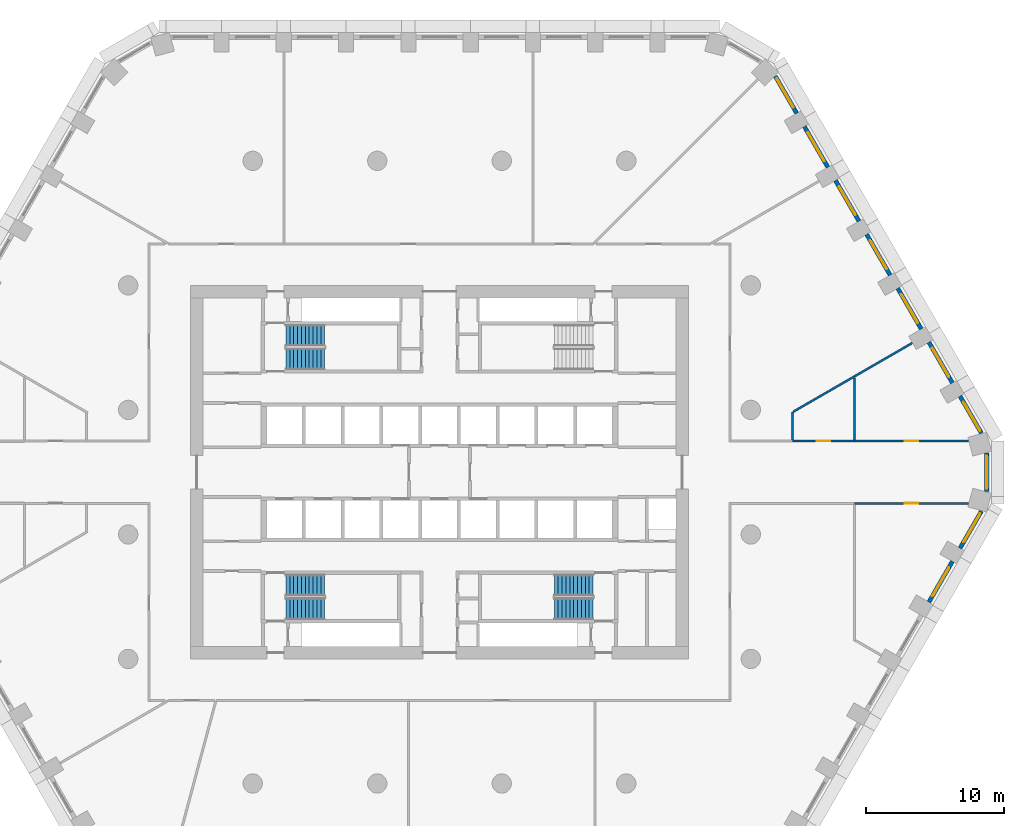
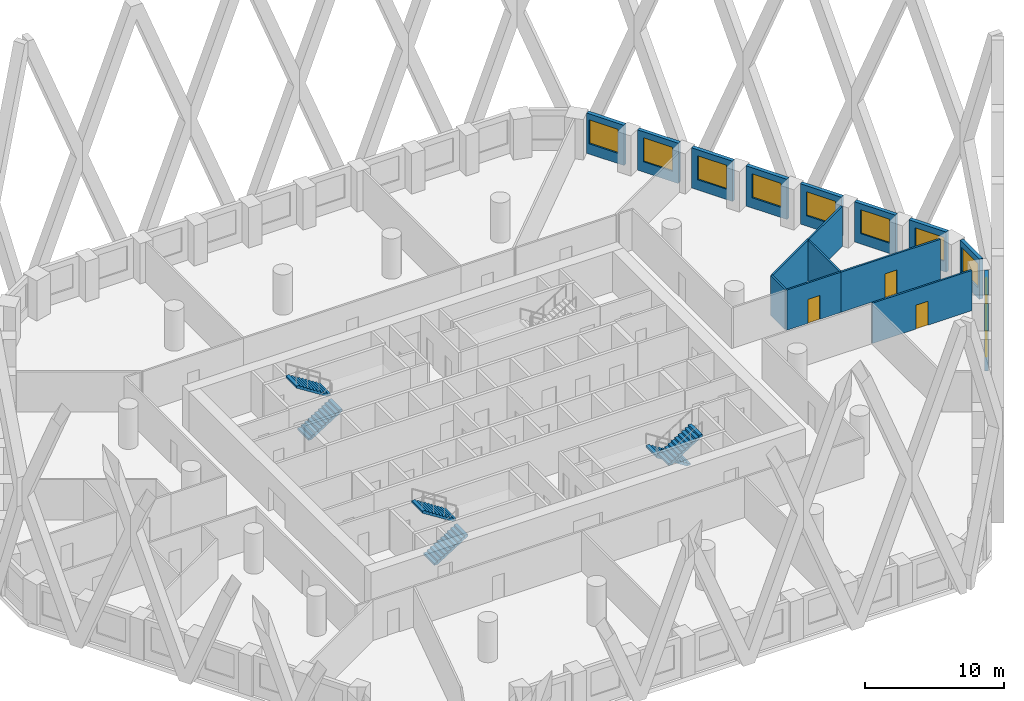
# One storey, part 8 of 18: 17 walls, 10 windows, 6 stair flights, 3 doors, 13 openings, 3 elements without a shape of their own.
"""IFC4 building model written with IfcOpenShell, lengths in metres."""

from ifc_helpers import new_model, si_unit, direction, frame, frame_2d, origin, place, context, subcontext, project, spatial, polyline, rectangle, outline, extrude, material, layer, layer_set, type_object, element, fill, aggregate, save


model = new_model("IFC4")

# Units and contexts
model_context = context("Model", 3, precision=1e-05, world=origin(), true_north=direction((0.0, 1.0)))
body_context = subcontext(model_context, "Body", "Model", "MODEL_VIEW")
ifc_project = project(units=[si_unit("LENGTHUNIT", "METRE"), si_unit("AREAUNIT", "SQUARE_METRE"), si_unit("VOLUMEUNIT", "CUBIC_METRE"), si_unit("PLANEANGLEUNIT", "RADIAN"), si_unit("MASSUNIT", "GRAM", prefix="KILO")], contexts=[model_context])

# Site, building, storey
site_placement = place(None, origin())
site = spatial("IfcSite", under=ifc_project, at=site_placement, CompositionType="ELEMENT")
building_placement = place(site_placement, origin())
building = spatial("IfcBuilding", under=site, at=building_placement, Name="Dhurran Vertical Campus", CompositionType="ELEMENT")
storey_placement = place(building_placement, frame((0.0, 0.0, 30.0)))
storey = spatial("IfcBuildingStorey", under=building, at=storey_placement, Name="L06", CompositionType="ELEMENT", Elevation=30.0)

# Wall, opening, window
ifc_material_1 = material(Name="Precast concrete C50/60", Category="concrete")
ifc_layer_1 = layer(ifc_material_1, 0.300048828125)
ifc_layer_set_1 = layer_set([ifc_layer_1], Name="Precast concrete C50/60")
wall_type_1 = type_object("IfcWallType", Name="Precast spandrel wall 300", PredefinedType="SOLIDWALL", material=ifc_layer_set_1)
wall_1_placement = place(storey_placement, frame((35.369384765625, -9.392578125, 0.0), z_axis=(0.0, 0.0, 1.0), x_axis=(0.499993955907, 0.866028893315, 0.0)))
wall_1 = element("IfcWall", 1, at=wall_1_placement, inside=storey, type_object=wall_type_1, Name="EW1 L06.15", PredefinedType="SOLIDWALL", context=body_context, shape_type="SweptSolid", body=[
    extrude(rectangle(XDim=3.39892578125, YDim=0.300048828125, at=frame_2d((1.699462890625, 0.0))), origin(), (0.0, 0.0, 1.0), 3.52490234375),
])
opening_1_placement = place(wall_1_placement, frame((0.49951171875, 0.0, 0.89990234375)))
opening_1 = element("IfcOpeningElement", 2, at=opening_1_placement, cuts=wall_1, Name="Opening WT1", PredefinedType="OPENING", context=body_context, shape_type="SweptSolid", body=[
    extrude(rectangle(XDim=2.39990234375, YDim=2.10009765625, at=frame_2d((1.199951171875, 1.050048828125))), frame((0.0, 0.159912109375, 0.0), z_axis=(0.0, -1.0, 0.0), x_axis=(1.0, 0.0, 0.0)), (0.0, 0.0, 1.0), 0.320068359375),
])
ifc_material_2 = material(Name="Aluminium frame with solar-control glass", Category="aluminium")
window_type = type_object("IfcWindowType", Name="Punched window 2400 x 2100", PartitioningType="SINGLE_PANEL", PredefinedType="WINDOW", material=ifc_material_2)
window_1_placement = place(opening_1_placement, origin())
window_1 = element("IfcWindow", 3, at=window_1_placement, inside=storey, type_object=window_type, Name="WT1 L06.15", OverallHeight=2.10009765625, OverallWidth=2.39990234375, PartitioningType="SINGLE_PANEL", PredefinedType="WINDOW", context=body_context, shape_type="SweptSolid", body=[
    extrude(rectangle(XDim=2.39990234375, YDim=2.10009765625, at=frame_2d((1.199951171875, 1.050048828125))), frame((0.0, 0.030029296875, 0.0), z_axis=(0.0, -1.0, 0.0), x_axis=(1.0, 0.0, 0.0)), (0.0, 0.0, 1.0), 0.06005859375),
])
fill(opening_1, window_1)

wall_2_placement = place(storey_placement, frame((37.619384765625, -5.495361328125, 0.0), z_axis=(0.0, 0.0, 1.0), x_axis=(0.49997090907, 0.866042198789, 0.0)))
wall_2 = element("IfcWall", 4, at=wall_2_placement, inside=storey, type_object=wall_type_1, Name="EW1 L06.16", PredefinedType="SOLIDWALL", context=body_context, shape_type="SweptSolid", body=[
    extrude(rectangle(XDim=3.090576171875, YDim=0.300048828125, at=frame_2d((1.54541015625, 0.0))), origin(), (0.0, 0.0, 1.0), 3.52490234375),
])
opening_2_placement = place(wall_2_placement, frame((0.49951171875, 0.0, 0.89990234375)))
opening_2 = element("IfcOpeningElement", 5, at=opening_2_placement, cuts=wall_2, Name="Opening WT1", PredefinedType="OPENING", context=body_context, shape_type="SweptSolid", body=[
    extrude(rectangle(XDim=2.39990234375, YDim=2.10009765625, at=frame_2d((1.199951171875, 1.050048828125))), frame((0.0, 0.159912109375, 0.0), z_axis=(0.0, -1.0, 0.0), x_axis=(1.0, 0.0, 0.0)), (0.0, 0.0, 1.0), 0.320068359375),
])
window_2_placement = place(opening_2_placement, origin())
window_2 = element("IfcWindow", 6, at=window_2_placement, inside=storey, type_object=window_type, Name="WT1 L06.16", OverallHeight=2.10009765625, OverallWidth=2.39990234375, PartitioningType="SINGLE_PANEL", PredefinedType="WINDOW", context=body_context, shape_type="SweptSolid", body=[
    extrude(rectangle(XDim=2.39990234375, YDim=2.10009765625, at=frame_2d((1.199951171875, 1.050048828125))), frame((0.0, 0.030029296875, 0.0), z_axis=(0.0, -1.0, 0.0), x_axis=(1.0, 0.0, 0.0)), (0.0, 0.0, 1.0), 0.06005859375),
])
fill(opening_2, window_2)

wall_3_placement = place(storey_placement, frame((39.547119140625, -1.39111328125, 0.0), z_axis=(0.0, 0.0, 1.0), x_axis=(0.0, 1.0, 0.0)))
wall_3 = element("IfcWall", 7, at=wall_3_placement, inside=storey, type_object=wall_type_1, Name="EW1 L06.17", PredefinedType="SOLIDWALL", context=body_context, shape_type="SweptSolid", body=[
    extrude(rectangle(XDim=2.7822265625, YDim=0.300048828125, at=frame_2d((1.39111328125, 0.0))), origin(), (0.0, 0.0, 1.0), 3.52490234375),
])
opening_3_placement = place(wall_3_placement, frame((0.191162109375, 0.0, 0.89990234375)))
opening_3 = element("IfcOpeningElement", 8, at=opening_3_placement, cuts=wall_3, Name="Opening WT1", PredefinedType="OPENING", context=body_context, shape_type="SweptSolid", body=[
    extrude(rectangle(XDim=2.39990234375, YDim=2.10009765625, at=frame_2d((1.199951171875, 1.050048828125))), frame((0.0, 0.159912109375, 0.0), z_axis=(0.0, -1.0, 0.0), x_axis=(1.0, 0.0, 0.0)), (0.0, 0.0, 1.0), 0.320068359375),
])
window_3_placement = place(opening_3_placement, origin())
window_3 = element("IfcWindow", 9, at=window_3_placement, inside=storey, type_object=window_type, Name="WT1 L06.17", OverallHeight=2.10009765625, OverallWidth=2.39990234375, PartitioningType="SINGLE_PANEL", PredefinedType="WINDOW", context=body_context, shape_type="SweptSolid", body=[
    extrude(rectangle(XDim=2.39990234375, YDim=2.10009765625, at=frame_2d((1.199951171875, 1.050048828125))), frame((0.0, 0.030029296875, 0.0), z_axis=(0.0, -1.0, 0.0), x_axis=(1.0, 0.0, 0.0)), (0.0, 0.0, 1.0), 0.06005859375),
])
fill(opening_3, window_3)

wall_4_placement = place(storey_placement, frame((39.16455078125, 2.81884765625, 0.0), z_axis=(0.0, 0.0, 1.0), x_axis=(-0.49997090907, 0.866042198789, 0.0)))
wall_4 = element("IfcWall", 10, at=wall_4_placement, inside=storey, type_object=wall_type_1, Name="EW1 L06.18", PredefinedType="SOLIDWALL", context=body_context, shape_type="SweptSolid", body=[
    extrude(rectangle(XDim=3.090576171875, YDim=0.300048828125, at=frame_2d((1.54541015625, 0.0))), origin(), (0.0, 0.0, 1.0), 3.52490234375),
])
opening_4_placement = place(wall_4_placement, frame((0.19091796875, 0.0, 0.89990234375)))
opening_4 = element("IfcOpeningElement", 11, at=opening_4_placement, cuts=wall_4, Name="Opening WT1", PredefinedType="OPENING", context=body_context, shape_type="SweptSolid", body=[
    extrude(rectangle(XDim=2.39990234375, YDim=2.10009765625, at=frame_2d((1.199951171875, 1.050048828125))), frame((0.0, 0.159912109375, 0.0), z_axis=(0.0, -1.0, 0.0), x_axis=(1.0, 0.0, 0.0)), (0.0, 0.0, 1.0), 0.320068359375),
])
window_4_placement = place(opening_4_placement, origin())
window_4 = element("IfcWindow", 12, at=window_4_placement, inside=storey, type_object=window_type, Name="WT1 L06.18", OverallHeight=2.10009765625, OverallWidth=2.39990234375, PartitioningType="SINGLE_PANEL", PredefinedType="WINDOW", context=body_context, shape_type="SweptSolid", body=[
    extrude(rectangle(XDim=2.39990234375, YDim=2.10009765625, at=frame_2d((1.199951171875, 1.050048828125))), frame((0.0, 0.030029296875, 0.0), z_axis=(0.0, -1.0, 0.0), x_axis=(1.0, 0.0, 0.0)), (0.0, 0.0, 1.0), 0.06005859375),
])
fill(opening_4, window_4)

wall_5_placement = place(storey_placement, frame((37.06884765625, 6.448974609375, 0.0), z_axis=(0.0, 0.0, 1.0), x_axis=(-0.499993955907, 0.866028893315, 0.0)))
wall_5 = element("IfcWall", 13, at=wall_5_placement, inside=storey, type_object=wall_type_1, Name="EW1 L06.19", PredefinedType="SOLIDWALL", context=body_context, shape_type="SweptSolid", body=[
    extrude(rectangle(XDim=3.39892578125, YDim=0.300048828125, at=frame_2d((1.699462890625, 0.0))), origin(), (0.0, 0.0, 1.0), 3.52490234375),
])
opening_5_placement = place(wall_5_placement, frame((0.49951171875, 0.0, 0.89990234375)))
opening_5 = element("IfcOpeningElement", 14, at=opening_5_placement, cuts=wall_5, Name="Opening WT1", PredefinedType="OPENING", context=body_context, shape_type="SweptSolid", body=[
    extrude(rectangle(XDim=2.39990234375, YDim=2.10009765625, at=frame_2d((1.199951171875, 1.050048828125))), frame((0.0, 0.159912109375, 0.0), z_axis=(0.0, -1.0, 0.0), x_axis=(1.0, 0.0, 0.0)), (0.0, 0.0, 1.0), 0.320068359375),
])
window_5_placement = place(opening_5_placement, origin())
window_5 = element("IfcWindow", 15, at=window_5_placement, inside=storey, type_object=window_type, Name="WT1 L06.19", OverallHeight=2.10009765625, OverallWidth=2.39990234375, PartitioningType="SINGLE_PANEL", PredefinedType="WINDOW", context=body_context, shape_type="SweptSolid", body=[
    extrude(rectangle(XDim=2.39990234375, YDim=2.10009765625, at=frame_2d((1.199951171875, 1.050048828125))), frame((0.0, 0.030029296875, 0.0), z_axis=(0.0, -1.0, 0.0), x_axis=(1.0, 0.0, 0.0)), (0.0, 0.0, 1.0), 0.06005859375),
])
fill(opening_5, window_5)

wall_6_placement = place(storey_placement, frame((34.81884765625, 10.345947265625, 0.0), z_axis=(0.0, 0.0, 1.0), x_axis=(-0.499993955907, 0.866028893315, 0.0)))
wall_6 = element("IfcWall", 16, at=wall_6_placement, inside=storey, type_object=wall_type_1, Name="EW1 L06.20", PredefinedType="SOLIDWALL", context=body_context, shape_type="SweptSolid", body=[
    extrude(rectangle(XDim=3.39892578125, YDim=0.300048828125, at=frame_2d((1.699462890625, 0.0))), origin(), (0.0, 0.0, 1.0), 3.52490234375),
])
opening_6_placement = place(wall_6_placement, frame((0.49951171875, 0.0, 0.89990234375)))
opening_6 = element("IfcOpeningElement", 17, at=opening_6_placement, cuts=wall_6, Name="Opening WT1", PredefinedType="OPENING", context=body_context, shape_type="SweptSolid", body=[
    extrude(rectangle(XDim=2.39990234375, YDim=2.10009765625, at=frame_2d((1.199951171875, 1.050048828125))), frame((0.0, 0.159912109375, 0.0), z_axis=(0.0, -1.0, 0.0), x_axis=(1.0, 0.0, 0.0)), (0.0, 0.0, 1.0), 0.320068359375),
])
window_6_placement = place(opening_6_placement, origin())
window_6 = element("IfcWindow", 18, at=window_6_placement, inside=storey, type_object=window_type, Name="WT1 L06.20", OverallHeight=2.10009765625, OverallWidth=2.39990234375, PartitioningType="SINGLE_PANEL", PredefinedType="WINDOW", context=body_context, shape_type="SweptSolid", body=[
    extrude(rectangle(XDim=2.39990234375, YDim=2.10009765625, at=frame_2d((1.199951171875, 1.050048828125))), frame((0.0, 0.030029296875, 0.0), z_axis=(0.0, -1.0, 0.0), x_axis=(1.0, 0.0, 0.0)), (0.0, 0.0, 1.0), 0.06005859375),
])
fill(opening_6, window_6)

wall_7_placement = place(storey_placement, frame((32.56884765625, 14.2431640625, 0.0), z_axis=(0.0, 0.0, 1.0), x_axis=(-0.499993955907, 0.866028893315, 0.0)))
wall_7 = element("IfcWall", 19, at=wall_7_placement, inside=storey, type_object=wall_type_1, Name="EW1 L06.21", PredefinedType="SOLIDWALL", context=body_context, shape_type="SweptSolid", body=[
    extrude(rectangle(XDim=3.39892578125, YDim=0.300048828125, at=frame_2d((1.699462890625, 0.0))), origin(), (0.0, 0.0, 1.0), 3.52490234375),
])
opening_7_placement = place(wall_7_placement, frame((0.49951171875, 0.0, 0.89990234375)))
opening_7 = element("IfcOpeningElement", 20, at=opening_7_placement, cuts=wall_7, Name="Opening WT1", PredefinedType="OPENING", context=body_context, shape_type="SweptSolid", body=[
    extrude(rectangle(XDim=2.39990234375, YDim=2.10009765625, at=frame_2d((1.199951171875, 1.050048828125))), frame((0.0, 0.159912109375, 0.0), z_axis=(0.0, -1.0, 0.0), x_axis=(1.0, 0.0, 0.0)), (0.0, 0.0, 1.0), 0.320068359375),
])
window_7_placement = place(opening_7_placement, origin())
window_7 = element("IfcWindow", 21, at=window_7_placement, inside=storey, type_object=window_type, Name="WT1 L06.21", OverallHeight=2.10009765625, OverallWidth=2.39990234375, PartitioningType="SINGLE_PANEL", PredefinedType="WINDOW", context=body_context, shape_type="SweptSolid", body=[
    extrude(rectangle(XDim=2.39990234375, YDim=2.10009765625, at=frame_2d((1.199951171875, 1.050048828125))), frame((0.0, 0.030029296875, 0.0), z_axis=(0.0, -1.0, 0.0), x_axis=(1.0, 0.0, 0.0)), (0.0, 0.0, 1.0), 0.06005859375),
])
fill(opening_7, window_7)

wall_8_placement = place(storey_placement, frame((30.31884765625, 18.14013671875, 0.0), z_axis=(0.0, 0.0, 1.0), x_axis=(-0.499993955907, 0.866028893315, 0.0)))
wall_8 = element("IfcWall", 22, at=wall_8_placement, inside=storey, type_object=wall_type_1, Name="EW1 L06.22", PredefinedType="SOLIDWALL", context=body_context, shape_type="SweptSolid", body=[
    extrude(rectangle(XDim=3.39892578125, YDim=0.300048828125, at=frame_2d((1.699462890625, 0.0))), origin(), (0.0, 0.0, 1.0), 3.52490234375),
])
opening_8_placement = place(wall_8_placement, frame((0.49951171875, 0.0, 0.89990234375)))
opening_8 = element("IfcOpeningElement", 23, at=opening_8_placement, cuts=wall_8, Name="Opening WT1", PredefinedType="OPENING", context=body_context, shape_type="SweptSolid", body=[
    extrude(rectangle(XDim=2.39990234375, YDim=2.10009765625, at=frame_2d((1.199951171875, 1.050048828125))), frame((0.0, 0.159912109375, 0.0), z_axis=(0.0, -1.0, 0.0), x_axis=(1.0, 0.0, 0.0)), (0.0, 0.0, 1.0), 0.320068359375),
])
window_8_placement = place(opening_8_placement, origin())
window_8 = element("IfcWindow", 24, at=window_8_placement, inside=storey, type_object=window_type, Name="WT1 L06.22", OverallHeight=2.10009765625, OverallWidth=2.39990234375, PartitioningType="SINGLE_PANEL", PredefinedType="WINDOW", context=body_context, shape_type="SweptSolid", body=[
    extrude(rectangle(XDim=2.39990234375, YDim=2.10009765625, at=frame_2d((1.199951171875, 1.050048828125))), frame((0.0, 0.030029296875, 0.0), z_axis=(0.0, -1.0, 0.0), x_axis=(1.0, 0.0, 0.0)), (0.0, 0.0, 1.0), 0.06005859375),
])
fill(opening_8, window_8)

wall_9_placement = place(storey_placement, frame((28.06884765625, 22.037353515625, 0.0), z_axis=(0.0, 0.0, 1.0), x_axis=(-0.499993955907, 0.866028893315, 0.0)))
wall_9 = element("IfcWall", 25, at=wall_9_placement, inside=storey, type_object=wall_type_1, Name="EW1 L06.23", PredefinedType="SOLIDWALL", context=body_context, shape_type="SweptSolid", body=[
    extrude(rectangle(XDim=3.39892578125, YDim=0.300048828125, at=frame_2d((1.699462890625, 0.0))), origin(), (0.0, 0.0, 1.0), 3.52490234375),
])
opening_9_placement = place(wall_9_placement, frame((0.49951171875, 0.0, 0.89990234375)))
opening_9 = element("IfcOpeningElement", 26, at=opening_9_placement, cuts=wall_9, Name="Opening WT1", PredefinedType="OPENING", context=body_context, shape_type="SweptSolid", body=[
    extrude(rectangle(XDim=2.39990234375, YDim=2.10009765625, at=frame_2d((1.199951171875, 1.050048828125))), frame((0.0, 0.159912109375, 0.0), z_axis=(0.0, -1.0, 0.0), x_axis=(1.0, 0.0, 0.0)), (0.0, 0.0, 1.0), 0.320068359375),
])
window_9_placement = place(opening_9_placement, origin())
window_9 = element("IfcWindow", 27, at=window_9_placement, inside=storey, type_object=window_type, Name="WT1 L06.23", OverallHeight=2.10009765625, OverallWidth=2.39990234375, PartitioningType="SINGLE_PANEL", PredefinedType="WINDOW", context=body_context, shape_type="SweptSolid", body=[
    extrude(rectangle(XDim=2.39990234375, YDim=2.10009765625, at=frame_2d((1.199951171875, 1.050048828125))), frame((0.0, 0.030029296875, 0.0), z_axis=(0.0, -1.0, 0.0), x_axis=(1.0, 0.0, 0.0)), (0.0, 0.0, 1.0), 0.06005859375),
])
fill(opening_9, window_9)

wall_10_placement = place(storey_placement, frame((25.81884765625, 25.934326171875, 0.0), z_axis=(0.0, 0.0, 1.0), x_axis=(-0.499995950774, 0.866027741594, 0.0)))
wall_10 = element("IfcWall", 28, at=wall_10_placement, inside=storey, type_object=wall_type_1, Name="EW1 L06.24", PredefinedType="SOLIDWALL", context=body_context, shape_type="SweptSolid", body=[
    extrude(rectangle(XDim=3.0908203125, YDim=0.300048828125, at=frame_2d((1.54541015625, 0.0))), origin(), (0.0, 0.0, 1.0), 3.52490234375),
])
opening_10_placement = place(wall_10_placement, frame((0.49951171875, 0.0, 0.89990234375)))
opening_10 = element("IfcOpeningElement", 29, at=opening_10_placement, cuts=wall_10, Name="Opening WT1", PredefinedType="OPENING", context=body_context, shape_type="SweptSolid", body=[
    extrude(rectangle(XDim=2.39990234375, YDim=2.10009765625, at=frame_2d((1.199951171875, 1.050048828125))), frame((0.0, 0.159912109375, 0.0), z_axis=(0.0, -1.0, 0.0), x_axis=(1.0, 0.0, 0.0)), (0.0, 0.0, 1.0), 0.320068359375),
])
window_10_placement = place(opening_10_placement, origin())
window_10 = element("IfcWindow", 30, at=window_10_placement, inside=storey, type_object=window_type, Name="WT1 L06.24", OverallHeight=2.10009765625, OverallWidth=2.39990234375, PartitioningType="SINGLE_PANEL", PredefinedType="WINDOW", context=body_context, shape_type="SweptSolid", body=[
    extrude(rectangle(XDim=2.39990234375, YDim=2.10009765625, at=frame_2d((1.199951171875, 1.050048828125))), frame((0.0, 0.030029296875, 0.0), z_axis=(0.0, -1.0, 0.0), x_axis=(1.0, 0.0, 0.0)), (0.0, 0.0, 1.0), 0.06005859375),
])
fill(opening_10, window_10)

# Wall, opening, door
ifc_material_3 = material(Name="Gypsum board corridor wall on steel studs", Category="steel")
ifc_layer_2 = layer(ifc_material_3, 0.14990234375)
ifc_layer_set_2 = layer_set([ifc_layer_2], Name="Gypsum board corridor wall on steel studs")
wall_type_2 = type_object("IfcWallType", Name="fl-CW-150 corridor wall", PredefinedType="PARTITIONING", material=ifc_layer_set_2)
wall_11_placement = place(storey_placement, frame((25.5, 2.25, 0.0), z_axis=(0.0, 0.0, 1.0), x_axis=(1.0, 0.0, 0.0)))
wall_11 = element("IfcWall", 31, at=wall_11_placement, inside=storey, type_object=wall_type_2, Name="Partition 06-42", PredefinedType="PARTITIONING", context=body_context, shape_type="SweptSolid", body=[
    extrude(rectangle(XDim=4.5, YDim=0.14990234375, at=frame_2d((2.25, 0.0))), origin(), (0.0, 0.0, 1.0), 3.52490234375),
])
opening_11_placement = place(wall_11_placement, frame((1.75, 0.0, 0.0)))
opening_11 = element("IfcOpeningElement", 32, at=opening_11_placement, cuts=wall_11, Name="Opening T01.16", PredefinedType="OPENING", context=body_context, shape_type="SweptSolid", body=[
    extrude(rectangle(XDim=1.0, YDim=2.10009765625, at=frame_2d((0.5, 1.050048828125))), frame((0.0, 0.0849609375, 0.0), z_axis=(0.0, -1.0, 0.0), x_axis=(1.0, 0.0, 0.0)), (0.0, 0.0, 1.0), 0.169921875),
])
ifc_material_4 = material(Name="Solid-core timber door set, fire-rated", Category="wood")
door_type = type_object("IfcDoorType", Name="fl-D-1000x2100", OperationType="SINGLE_SWING_LEFT", PredefinedType="DOOR", material=ifc_material_4)
door_1_placement = place(opening_11_placement, origin())
door_1 = element("IfcDoor", 33, at=door_1_placement, inside=storey, type_object=door_type, Name="Door 06.16", OperationType="SINGLE_SWING_RIGHT", OverallHeight=2.10009765625, OverallWidth=1.0, PredefinedType="DOOR", context=body_context, shape_type="SweptSolid", body=[
    extrude(rectangle(XDim=1.0, YDim=2.10009765625, at=frame_2d((0.5, 1.050048828125))), frame((0.0, 0.02490234375, 0.0), z_axis=(0.0, -1.0, 0.0), x_axis=(1.0, 0.0, 0.0)), (0.0, 0.0, 1.0), 0.050048828125),
])
fill(opening_11, door_1)

wall_12_placement = place(storey_placement, frame((38.23291015625, -2.25, 0.0), z_axis=(0.0, 0.0, 1.0), x_axis=(-1.0, 0.0, 0.0)))
wall_12 = element("IfcWall", 34, at=wall_12_placement, inside=storey, type_object=wall_type_2, Name="Partition 06-46", PredefinedType="PARTITIONING", context=body_context, shape_type="SweptSolid", body=[
    extrude(rectangle(XDim=8.23291015625, YDim=0.14990234375, at=frame_2d((4.116455078125, 0.0))), origin(), (0.0, 0.0, 1.0), 3.52490234375),
])
opening_12_placement = place(wall_12_placement, frame((3.616455078125, 0.0, 0.0)))
opening_12 = element("IfcOpeningElement", 35, at=opening_12_placement, cuts=wall_12, Name="Opening T01.17", PredefinedType="OPENING", context=body_context, shape_type="SweptSolid", body=[
    extrude(rectangle(XDim=1.0, YDim=2.10009765625, at=frame_2d((0.5, 1.050048828125))), frame((0.0, 0.0849609375, 0.0), z_axis=(0.0, -1.0, 0.0), x_axis=(1.0, 0.0, 0.0)), (0.0, 0.0, 1.0), 0.169921875),
])
door_2_placement = place(opening_12_placement, origin())
door_2 = element("IfcDoor", 36, at=door_2_placement, inside=storey, type_object=door_type, Name="Door 06.17", OperationType="SINGLE_SWING_LEFT", OverallHeight=2.10009765625, OverallWidth=1.0, PredefinedType="DOOR", context=body_context, shape_type="SweptSolid", body=[
    extrude(rectangle(XDim=1.0, YDim=2.10009765625, at=frame_2d((0.5, 1.050048828125))), frame((0.0, 0.02490234375, 0.0), z_axis=(0.0, -1.0, 0.0), x_axis=(1.0, 0.0, 0.0)), (0.0, 0.0, 1.0), 0.050048828125),
])
fill(opening_12, door_2)

wall_13_placement = place(storey_placement, frame((30.0, 2.25, 0.0), z_axis=(0.0, 0.0, 1.0), x_axis=(1.0, 0.0, 0.0)))
wall_13 = element("IfcWall", 37, at=wall_13_placement, inside=storey, type_object=wall_type_2, Name="Partition 06-48", PredefinedType="PARTITIONING", context=body_context, shape_type="SweptSolid", body=[
    extrude(rectangle(XDim=8.23291015625, YDim=0.14990234375, at=frame_2d((4.116455078125, 0.0))), origin(), (0.0, 0.0, 1.0), 3.52490234375),
])
opening_13_placement = place(wall_13_placement, frame((3.616455078125, 0.0, 0.0)))
opening_13 = element("IfcOpeningElement", 38, at=opening_13_placement, cuts=wall_13, Name="Opening T01.18", PredefinedType="OPENING", context=body_context, shape_type="SweptSolid", body=[
    extrude(rectangle(XDim=1.0, YDim=2.10009765625, at=frame_2d((0.5, 1.050048828125))), frame((0.0, 0.0849609375, 0.0), z_axis=(0.0, -1.0, 0.0), x_axis=(1.0, 0.0, 0.0)), (0.0, 0.0, 1.0), 0.169921875),
])
door_3_placement = place(opening_13_placement, origin())
door_3 = element("IfcDoor", 39, at=door_3_placement, inside=storey, type_object=door_type, Name="Door 06.18", OperationType="SINGLE_SWING_RIGHT", OverallHeight=2.10009765625, OverallWidth=1.0, PredefinedType="DOOR", context=body_context, shape_type="SweptSolid", body=[
    extrude(rectangle(XDim=1.0, YDim=2.10009765625, at=frame_2d((0.5, 1.050048828125))), frame((0.0, 0.02490234375, 0.0), z_axis=(0.0, -1.0, 0.0), x_axis=(1.0, 0.0, 0.0)), (0.0, 0.0, 1.0), 0.050048828125),
])
fill(opening_13, door_3)

# Walls
ifc_material_5 = material(Name="Gypsum board partition on steel studs", Category="steel")
ifc_layer_3 = layer(ifc_material_5, 0.14990234375)
ifc_layer_set_3 = layer_set([ifc_layer_3], Name="Gypsum board partition on steel studs")
wall_type_3 = type_object("IfcWallType", Name="fl-PW-150 fixed partition", PredefinedType="PARTITIONING", material=ifc_layer_set_3)
wall_14_placement = place(storey_placement, frame((25.5, 4.35498046875, 0.0), z_axis=(0.0, 0.0, 1.0), x_axis=(0.0, -1.0, 0.0)))
element("IfcWall", 40, at=wall_14_placement, inside=storey, type_object=wall_type_3, Name="Partition 06-41", PredefinedType="PARTITIONING", context=body_context, shape_type="SweptSolid", body=[
    extrude(rectangle(XDim=2.030029296875, YDim=0.14990234375, at=frame_2d((1.01513671875, 0.0))), origin(), (0.0, 0.0, 1.0), 3.52490234375),
])
wall_15_placement = place(storey_placement, frame((30.0, 6.927978515625, 0.0), z_axis=(0.0, 0.0, 1.0), x_axis=(-0.866028396804, -0.499994815902, 0.0)))
element("IfcWall", 41, at=wall_15_placement, inside=storey, type_object=wall_type_3, Name="Partition 06-43", PredefinedType="PARTITIONING", context=body_context, shape_type="SweptSolid", body=[
    extrude(rectangle(XDim=5.12109375, YDim=0.14990234375, at=frame_2d((2.560546875, 0.0))), origin(), (0.0, 0.0, 1.0), 3.52490234375),
])
wall_16_placement = place(storey_placement, frame((30.0, 6.798095703125, 0.0), z_axis=(0.0, 0.0, 1.0), x_axis=(0.0, -1.0, 0.0)))
element("IfcWall", 42, at=wall_16_placement, inside=storey, type_object=wall_type_3, Name="Partition 06-47", PredefinedType="PARTITIONING", context=body_context, shape_type="SweptSolid", body=[
    extrude(rectangle(XDim=4.47314453125, YDim=0.14990234375, at=frame_2d((2.236572265625, 0.0))), origin(), (0.0, 0.0, 1.0), 3.52490234375),
])
wall_17_placement = place(storey_placement, frame((34.16748046875, 9.334228515625, 0.0), z_axis=(0.0, 0.0, 1.0), x_axis=(-0.866011543723, -0.500024005562, 0.0)))
element("IfcWall", 43, at=wall_17_placement, inside=storey, type_object=wall_type_3, Name="Partition 06-49", PredefinedType="PARTITIONING", context=body_context, shape_type="SweptSolid", body=[
    extrude(rectangle(XDim=4.812255859375, YDim=0.14990234375, at=frame_2d((2.40625, 0.0))), origin(), (0.0, 0.0, 1.0), 3.52490234375),
])

# Stair, stair flights
ifc_material_6 = material(Name="Concrete C40/50", Category="concrete")
stair_type = type_object("IfcStairType", Name="co-ST-CORE", PredefinedType="HALF_TURN_STAIR", material=ifc_material_6)
stair_1_placement = place(storey_placement, origin())
stair_1 = element("IfcStair", 44, at=stair_1_placement, inside=storey, type_object=stair_type, Name="L06 Protected exit stair ST1", PredefinedType="HALF_TURN_STAIR")
ifc_material_7 = material(Name="Concrete C40/50", Category="concrete")
stair_flight_type = type_object("IfcStairFlightType", Name="co-SFL-RC", PredefinedType="STRAIGHT", material=ifc_material_7)
stair_flight_1_placement = place(storey_placement, frame((-11.10009765625, 8.175048828125, 0.0), z_axis=(0.0, 0.0, 1.0), x_axis=(1.0, 0.0, 0.0)))
stair_flight_1 = element("IfcStairFlight", 45, at=stair_flight_1_placement, type_object=stair_flight_type, Name="ST1 flight 1", NumberOfRisers=11, NumberOfTreads=10, PredefinedType="STRAIGHT", RiserHeight=0.177272727, TreadLength=0.28, context=body_context, shape_type="SweptSolid", body=[
    extrude(outline(polyline([(0.0, 0.0), (0.0, 0.17724609375), (0.280029296875, 0.17724609375), (0.280029296875, 0.3544921875), (0.56005859375, 0.3544921875), (0.56005859375, 0.53173828125), (0.840087890625, 0.53173828125), (0.840087890625, 0.708984375), (1.1201171875, 0.708984375), (1.1201171875, 0.886474609375), (1.39990234375, 0.886474609375), (1.39990234375, 1.063720703125), (1.679931640625, 1.063720703125), (1.679931640625, 1.240966796875), (1.9599609375, 1.240966796875), (1.9599609375, 1.418212890625), (2.239990234375, 1.418212890625), (2.239990234375, 1.595458984375), (2.52001953125, 1.595458984375), (2.52001953125, 1.772705078125), (2.800048828125, 1.772705078125), (2.800048828125, 1.949951171875), (2.800048828125, 1.59521484375), (0.2802734375, 0.0), (0.0, 0.0)])), frame((0.0, 0.77490234375, 0.0), z_axis=(0.0, -1.0, 0.0), x_axis=(1.0, 0.0, 0.0)), (0.0, 0.0, 1.0), 1.550048828125),
])
stair_flight_2_placement = place(storey_placement, frame((-8.300048828125, 9.875, 1.949951171875), z_axis=(0.0, 0.0, 1.0), x_axis=(-1.0, 0.0, 0.0)))
stair_flight_2 = element("IfcStairFlight", 46, at=stair_flight_2_placement, type_object=stair_flight_type, Name="ST1 flight 2", NumberOfRisers=11, NumberOfTreads=10, PredefinedType="STRAIGHT", RiserHeight=0.177272727, TreadLength=0.28, context=body_context, shape_type="SweptSolid", body=[
    extrude(outline(polyline([(0.0, 0.0), (0.0, 0.17724609375), (0.280029296875, 0.17724609375), (0.280029296875, 0.3544921875), (0.56005859375, 0.3544921875), (0.56005859375, 0.53173828125), (0.840087890625, 0.53173828125), (0.840087890625, 0.708984375), (1.1201171875, 0.708984375), (1.1201171875, 0.886474609375), (1.39990234375, 0.886474609375), (1.39990234375, 1.063720703125), (1.679931640625, 1.063720703125), (1.679931640625, 1.240966796875), (1.9599609375, 1.240966796875), (1.9599609375, 1.418212890625), (2.239990234375, 1.418212890625), (2.239990234375, 1.595458984375), (2.52001953125, 1.595458984375), (2.52001953125, 1.772705078125), (2.800048828125, 1.772705078125), (2.800048828125, 1.949951171875), (2.800048828125, 1.59521484375), (0.2802734375, 0.0), (0.0, 0.0)])), frame((0.0, 0.77490234375, 0.0), z_axis=(0.0, -1.0, 0.0), x_axis=(1.0, 0.0, 0.0)), (0.0, 0.0, 1.0), 1.550048828125),
])
aggregate(stair_1, [stair_flight_1, stair_flight_2])

stair_2_placement = place(storey_placement, origin())
stair_2 = element("IfcStair", 47, at=stair_2_placement, inside=storey, type_object=stair_type, Name="L06 Protected exit stair ST3", PredefinedType="HALF_TURN_STAIR")
stair_flight_3_placement = place(storey_placement, frame((-11.10009765625, -9.875, 0.0), z_axis=(0.0, 0.0, 1.0), x_axis=(1.0, 0.0, 0.0)))
stair_flight_3 = element("IfcStairFlight", 48, at=stair_flight_3_placement, type_object=stair_flight_type, Name="ST3 flight 1", NumberOfRisers=11, NumberOfTreads=10, PredefinedType="STRAIGHT", RiserHeight=0.177272727, TreadLength=0.28, context=body_context, shape_type="SweptSolid", body=[
    extrude(outline(polyline([(0.0, 0.0), (0.0, 0.17724609375), (0.280029296875, 0.17724609375), (0.280029296875, 0.3544921875), (0.56005859375, 0.3544921875), (0.56005859375, 0.53173828125), (0.840087890625, 0.53173828125), (0.840087890625, 0.708984375), (1.1201171875, 0.708984375), (1.1201171875, 0.886474609375), (1.39990234375, 0.886474609375), (1.39990234375, 1.063720703125), (1.679931640625, 1.063720703125), (1.679931640625, 1.240966796875), (1.9599609375, 1.240966796875), (1.9599609375, 1.418212890625), (2.239990234375, 1.418212890625), (2.239990234375, 1.595458984375), (2.52001953125, 1.595458984375), (2.52001953125, 1.772705078125), (2.800048828125, 1.772705078125), (2.800048828125, 1.949951171875), (2.800048828125, 1.59521484375), (0.2802734375, 0.0), (0.0, 0.0)])), frame((0.0, 0.77490234375, 0.0), z_axis=(0.0, -1.0, 0.0), x_axis=(1.0, 0.0, 0.0)), (0.0, 0.0, 1.0), 1.550048828125),
])
stair_flight_4_placement = place(storey_placement, frame((-8.300048828125, -8.175048828125, 1.949951171875), z_axis=(0.0, 0.0, 1.0), x_axis=(-1.0, 0.0, 0.0)))
stair_flight_4 = element("IfcStairFlight", 49, at=stair_flight_4_placement, type_object=stair_flight_type, Name="ST3 flight 2", NumberOfRisers=11, NumberOfTreads=10, PredefinedType="STRAIGHT", RiserHeight=0.177272727, TreadLength=0.28, context=body_context, shape_type="SweptSolid", body=[
    extrude(outline(polyline([(0.0, 0.0), (0.0, 0.17724609375), (0.280029296875, 0.17724609375), (0.280029296875, 0.3544921875), (0.56005859375, 0.3544921875), (0.56005859375, 0.53173828125), (0.840087890625, 0.53173828125), (0.840087890625, 0.708984375), (1.1201171875, 0.708984375), (1.1201171875, 0.886474609375), (1.39990234375, 0.886474609375), (1.39990234375, 1.063720703125), (1.679931640625, 1.063720703125), (1.679931640625, 1.240966796875), (1.9599609375, 1.240966796875), (1.9599609375, 1.418212890625), (2.239990234375, 1.418212890625), (2.239990234375, 1.595458984375), (2.52001953125, 1.595458984375), (2.52001953125, 1.772705078125), (2.800048828125, 1.772705078125), (2.800048828125, 1.949951171875), (2.800048828125, 1.59521484375), (0.2802734375, 0.0), (0.0, 0.0)])), frame((0.0, 0.77490234375, 0.0), z_axis=(0.0, -1.0, 0.0), x_axis=(1.0, 0.0, 0.0)), (0.0, 0.0, 1.0), 1.550048828125),
])
aggregate(stair_2, [stair_flight_3, stair_flight_4])

stair_3_placement = place(storey_placement, origin())
stair_3 = element("IfcStair", 50, at=stair_3_placement, inside=storey, type_object=stair_type, Name="L06 Protected exit stair ST4", PredefinedType="HALF_TURN_STAIR")
stair_flight_5_placement = place(storey_placement, frame((11.10009765625, -8.175048828125, 0.0), z_axis=(0.0, 0.0, 1.0), x_axis=(-1.0, 0.0, 0.0)))
stair_flight_5 = element("IfcStairFlight", 51, at=stair_flight_5_placement, type_object=stair_flight_type, Name="ST4 flight 1", NumberOfRisers=11, NumberOfTreads=10, PredefinedType="STRAIGHT", RiserHeight=0.177272727, TreadLength=0.28, context=body_context, shape_type="SweptSolid", body=[
    extrude(outline(polyline([(0.0, 0.0), (0.0, 0.17724609375), (0.280029296875, 0.17724609375), (0.280029296875, 0.3544921875), (0.56005859375, 0.3544921875), (0.56005859375, 0.53173828125), (0.840087890625, 0.53173828125), (0.840087890625, 0.708984375), (1.1201171875, 0.708984375), (1.1201171875, 0.886474609375), (1.39990234375, 0.886474609375), (1.39990234375, 1.063720703125), (1.679931640625, 1.063720703125), (1.679931640625, 1.240966796875), (1.9599609375, 1.240966796875), (1.9599609375, 1.418212890625), (2.239990234375, 1.418212890625), (2.239990234375, 1.595458984375), (2.52001953125, 1.595458984375), (2.52001953125, 1.772705078125), (2.800048828125, 1.772705078125), (2.800048828125, 1.949951171875), (2.800048828125, 1.59521484375), (0.2802734375, 0.0), (0.0, 0.0)])), frame((0.0, 0.77490234375, 0.0), z_axis=(0.0, -1.0, 0.0), x_axis=(1.0, 0.0, 0.0)), (0.0, 0.0, 1.0), 1.550048828125),
])
stair_flight_6_placement = place(storey_placement, frame((8.300048828125, -9.875, 1.949951171875), z_axis=(0.0, 0.0, 1.0), x_axis=(1.0, 0.0, 0.0)))
stair_flight_6 = element("IfcStairFlight", 52, at=stair_flight_6_placement, type_object=stair_flight_type, Name="ST4 flight 2", NumberOfRisers=11, NumberOfTreads=10, PredefinedType="STRAIGHT", RiserHeight=0.177272727, TreadLength=0.28, context=body_context, shape_type="SweptSolid", body=[
    extrude(outline(polyline([(0.0, 0.0), (0.0, 0.17724609375), (0.280029296875, 0.17724609375), (0.280029296875, 0.3544921875), (0.56005859375, 0.3544921875), (0.56005859375, 0.53173828125), (0.840087890625, 0.53173828125), (0.840087890625, 0.708984375), (1.1201171875, 0.708984375), (1.1201171875, 0.886474609375), (1.39990234375, 0.886474609375), (1.39990234375, 1.063720703125), (1.679931640625, 1.063720703125), (1.679931640625, 1.240966796875), (1.9599609375, 1.240966796875), (1.9599609375, 1.418212890625), (2.239990234375, 1.418212890625), (2.239990234375, 1.595458984375), (2.52001953125, 1.595458984375), (2.52001953125, 1.772705078125), (2.800048828125, 1.772705078125), (2.800048828125, 1.949951171875), (2.800048828125, 1.59521484375), (0.2802734375, 0.0), (0.0, 0.0)])), frame((0.0, 0.77490234375, 0.0), z_axis=(0.0, -1.0, 0.0), x_axis=(1.0, 0.0, 0.0)), (0.0, 0.0, 1.0), 1.550048828125),
])
aggregate(stair_3, [stair_flight_5, stair_flight_6])

save(model, "model.ifc")
